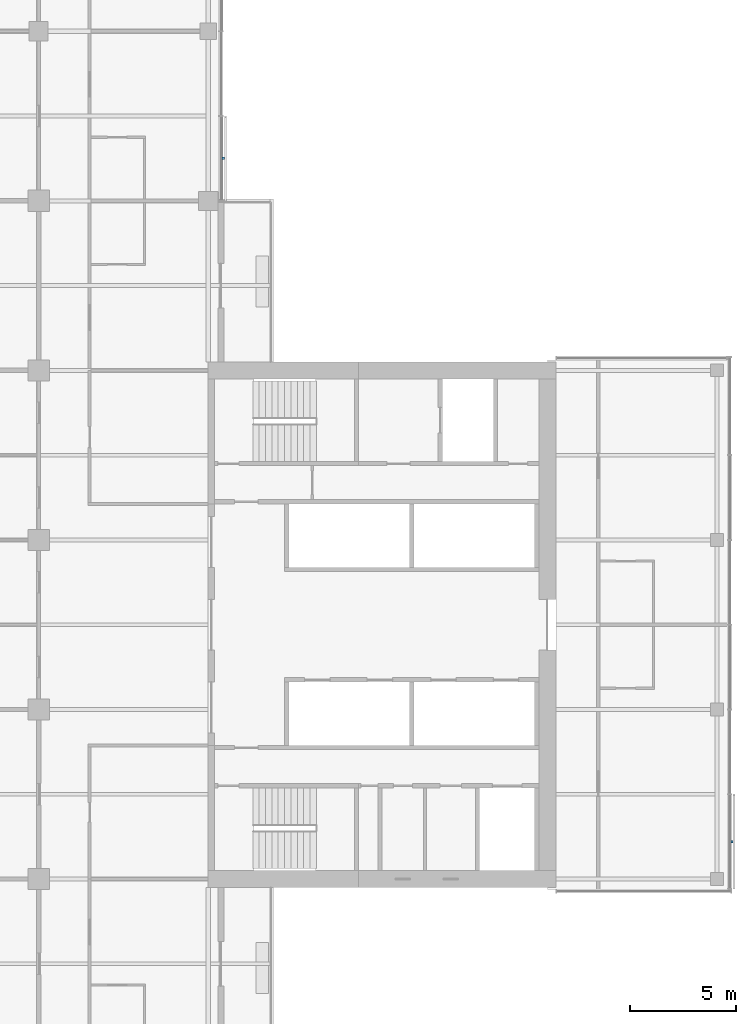
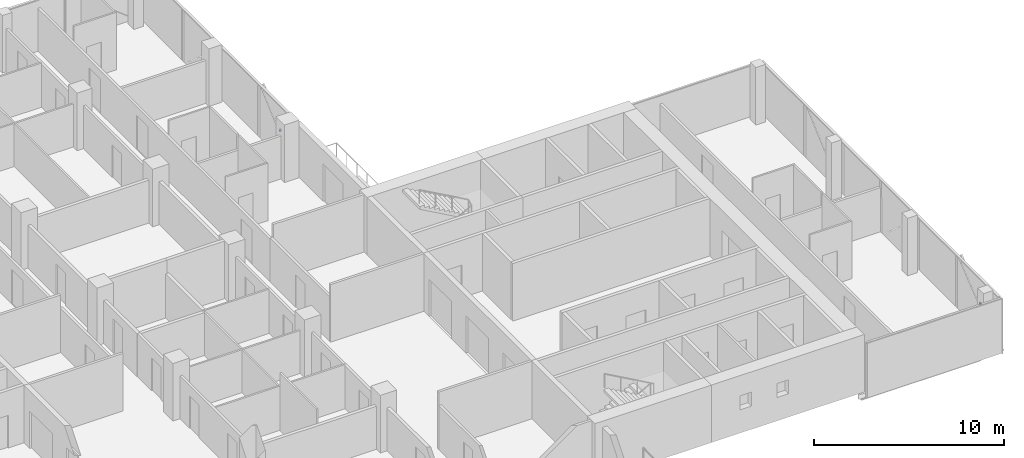
# One storey, part 25 of 27: 2 discrete accessories.
"""IFC4 building model written with IfcOpenShell, lengths in metres."""

from ifc_helpers import new_model, si_unit, direction, frame, origin, origin_2d, place, context, subcontext, project, spatial, rectangle, extrude, material, type_object, element, save


model = new_model("IFC4")

# Units and contexts
model_context = context("Model", 3, precision=1e-05, world=origin(), true_north=direction((0.0, 1.0)))
body_context = subcontext(model_context, "Body", "Model", "MODEL_VIEW")
ifc_project = project(units=[si_unit("LENGTHUNIT", "METRE"), si_unit("AREAUNIT", "SQUARE_METRE"), si_unit("VOLUMEUNIT", "CUBIC_METRE"), si_unit("PLANEANGLEUNIT", "RADIAN"), si_unit("MASSUNIT", "GRAM", prefix="KILO")], contexts=[model_context])

# Site, building, storey
site_placement = place(None, origin())
site = spatial("IfcSite", under=ifc_project, at=site_placement, CompositionType="ELEMENT")
building_placement = place(site_placement, origin())
building = spatial("IfcBuilding", under=site, at=building_placement, Name="Crosswind Convention Tower", CompositionType="ELEMENT")
storey_placement = place(building_placement, frame((0.0, 0.0, 101.60009765625)))
storey = spatial("IfcBuildingStorey", under=building, at=storey_placement, Name="L20", CompositionType="ELEMENT", Elevation=101.60009765625)

# Discrete accessories
ifc_material = material(Name="Stainless steel", Category="steel")
discrete_accessory_type = type_object("IfcDiscreteAccessoryType", Name="BAGUETTE BRACKET BK2", PredefinedType="BRACKET", material=ifc_material)
for number, where, z_axis, x_axis, name in (
    (1, (161.7080078125, 89.766357421875, 1.417236328125), (0.0, 0.0, 1.0), (0.0, 1.0, 0.0), "BK2 baguette bracket"),
    (2, (137.7080078125, 122.0, 1.417236328125), (0.0, 0.0, 1.0), (0.0, 1.0, 0.0), "BK2 baguette bracket"),
):
    element("IfcDiscreteAccessory", number, at=place(storey_placement, frame(where, z_axis=z_axis, x_axis=x_axis)), inside=storey, type_object=discrete_accessory_type, Name=name, PredefinedType="BRACKET", context=body_context, shape_type="SweptSolid", body=[
        extrude(rectangle(XDim=0.1201171875, YDim=0.10009765625, at=origin_2d()), origin(), (0.0, 0.0, 1.0), 0.1201171875),
    ])

save(model, "model.ifc")
